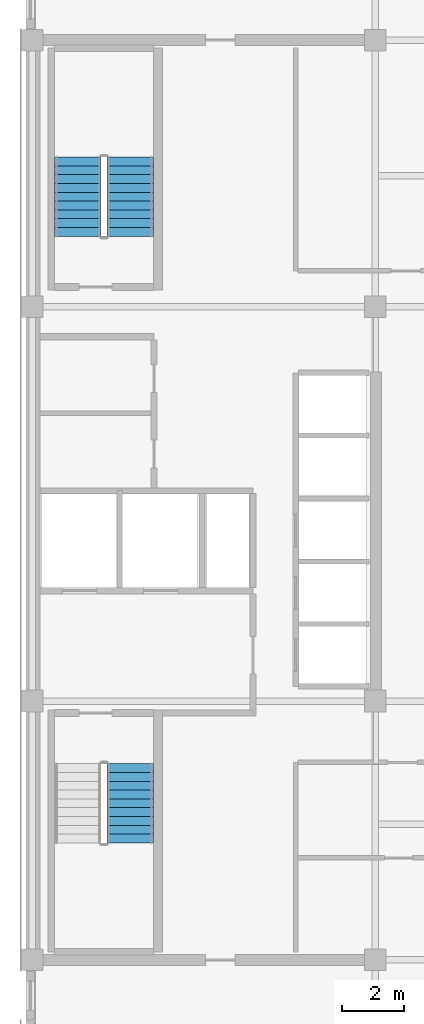
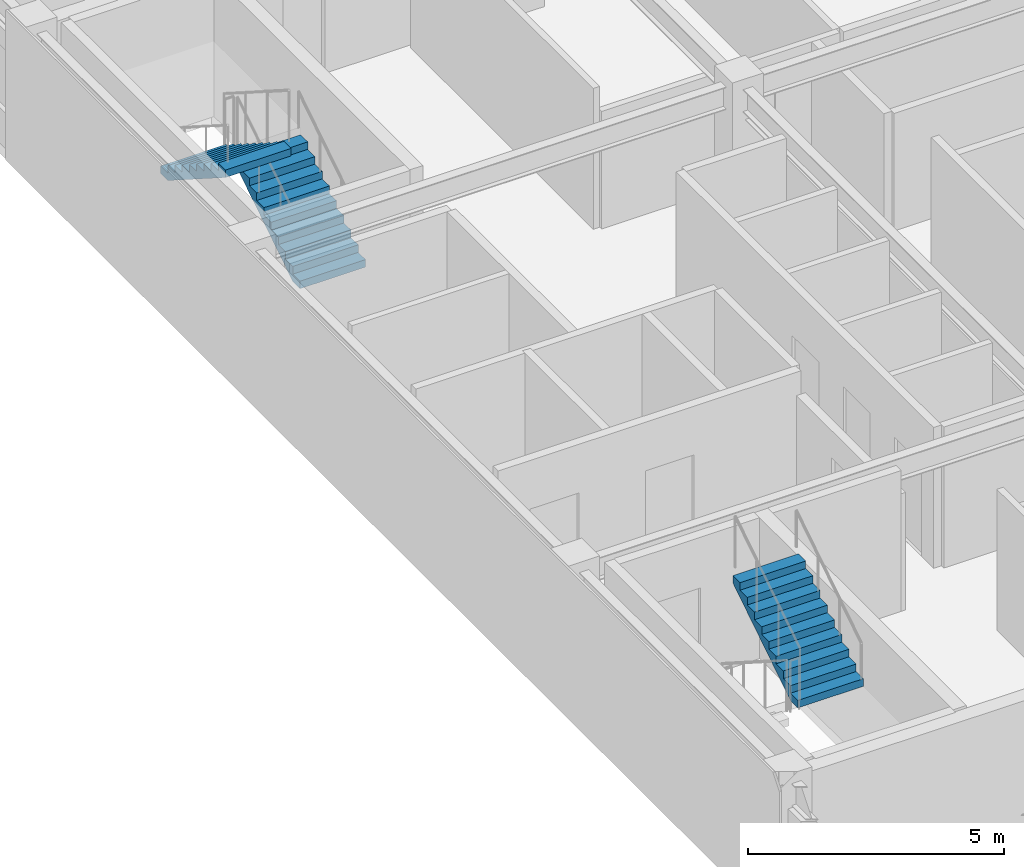
# One storey, part 6 of 7: 3 stair flights, 2 elements without a shape of their own.
"""IFC4 building model written with IfcOpenShell, lengths in metres."""

from ifc_helpers import new_model, si_unit, direction, frame, origin, place, context, subcontext, project, spatial, polyline, outline, extrude, material, type_object, element, aggregate, save


model = new_model("IFC4")

# Units and contexts
model_context = context("Model", 3, precision=1e-05, world=origin(), true_north=direction((0.0, 1.0)))
body_context = subcontext(model_context, "Body", "Model", "MODEL_VIEW")
ifc_project = project(units=[si_unit("LENGTHUNIT", "METRE"), si_unit("AREAUNIT", "SQUARE_METRE"), si_unit("VOLUMEUNIT", "CUBIC_METRE"), si_unit("PLANEANGLEUNIT", "RADIAN"), si_unit("MASSUNIT", "GRAM", prefix="KILO")], contexts=[model_context])

# Site, building, storey
site_placement = place(None, origin())
site = spatial("IfcSite", under=ifc_project, at=site_placement, CompositionType="ELEMENT")
building_placement = place(site_placement, origin())
building = spatial("IfcBuilding", under=site, at=building_placement, Name="Ochreholt Gables", CompositionType="ELEMENT")
storey_placement = place(building_placement, frame((0.0, 0.0, 242.39990234375)))
storey = spatial("IfcBuildingStorey", under=building, at=storey_placement, Name="L63", CompositionType="ELEMENT", Elevation=242.39990234375)

# Stair, stair flight
ifc_material = material(Name="Concrete 40 MPa", Category="concrete")
stair_type_1 = type_object("IfcStairType", Name="STAIR-CORE-ST-1", PredefinedType="HALF_TURN_STAIR", material=ifc_material)
stair_1_placement = place(storey_placement, origin())
stair_1 = element("IfcStair", 1, at=stair_1_placement, inside=storey, type_object=stair_type_1, Name="L63 Core Exit Stair 1", PredefinedType="HALF_TURN_STAIR")
stair_flight_type = type_object("IfcStairFlightType", Name="FLIGHT-ST-1480-1800", PredefinedType="STRAIGHT", material=ifc_material)
stair_flight_1_placement = place(storey_placement, frame((27.340087890625, 13.001953125, 1.800048828125), z_axis=(0.0, 0.0, 1.0), x_axis=(0.0, 1.0, 0.0)))
stair_flight_1 = element("IfcStairFlight", 2, at=stair_flight_1_placement, type_object=stair_flight_type, Name="ST-1 flight 2", NumberOfRisers=10, NumberOfTreads=9, PredefinedType="STRAIGHT", RiserHeight=0.18, TreadLength=0.282, context=body_context, shape_type="SweptSolid", body=[
    extrude(outline(polyline([(0.0, 0.0), (0.0, 0.179931640625), (0.281982421875, 0.179931640625), (0.281982421875, 0.360107421875), (0.56396484375, 0.360107421875), (0.56396484375, 0.5400390625), (0.845947265625, 0.5400390625), (0.845947265625, 0.719970703125), (1.1279296875, 0.719970703125), (1.1279296875, 0.89990234375), (1.409912109375, 0.89990234375), (1.409912109375, 1.080078125), (1.69189453125, 1.080078125), (1.69189453125, 1.260009765625), (1.97412109375, 1.260009765625), (1.97412109375, 1.43994140625), (2.256103515625, 1.43994140625), (2.256103515625, 1.6201171875), (2.5380859375, 1.6201171875), (2.5380859375, 1.800048828125), (2.5380859375, 1.442138671875), (0.278564453125, 0.0), (0.0, 0.0)])), frame((0.0, 0.739990234375, 0.0), z_axis=(0.0, -1.0, 0.0), x_axis=(1.0, 0.0, 0.0)), (0.0, 0.0, 1.0), 1.47998046875),
])
aggregate(stair_1, [stair_flight_1])

# Stair, stair flights
stair_type_2 = type_object("IfcStairType", Name="STAIR-CORE-ST-2", PredefinedType="HALF_TURN_STAIR", material=ifc_material)
stair_2_placement = place(storey_placement, origin())
stair_2 = element("IfcStair", 3, at=stair_2_placement, inside=storey, type_object=stair_type_2, Name="L63 Core Exit Stair 2", PredefinedType="HALF_TURN_STAIR")
stair_flight_2_placement = place(storey_placement, frame((27.340087890625, 32.4599609375, 0.0), z_axis=(0.0, 0.0, 1.0), x_axis=(0.0, 1.0, 0.0)))
stair_flight_2 = element("IfcStairFlight", 4, at=stair_flight_2_placement, type_object=stair_flight_type, Name="ST-2 flight 1", NumberOfRisers=10, NumberOfTreads=9, PredefinedType="STRAIGHT", RiserHeight=0.18, TreadLength=0.282, context=body_context, shape_type="SweptSolid", body=[
    extrude(outline(polyline([(0.0, 0.0), (0.0, 0.179931640625), (0.281982421875, 0.179931640625), (0.281982421875, 0.360107421875), (0.56396484375, 0.360107421875), (0.56396484375, 0.5400390625), (0.845947265625, 0.5400390625), (0.845947265625, 0.719970703125), (1.1279296875, 0.719970703125), (1.1279296875, 0.89990234375), (1.409912109375, 0.89990234375), (1.409912109375, 1.080078125), (1.69189453125, 1.080078125), (1.69189453125, 1.260009765625), (1.97412109375, 1.260009765625), (1.97412109375, 1.43994140625), (2.256103515625, 1.43994140625), (2.256103515625, 1.6201171875), (2.5380859375, 1.6201171875), (2.5380859375, 1.800048828125), (2.5380859375, 1.442138671875), (0.278564453125, 0.0), (0.0, 0.0)])), frame((0.0, 0.739990234375, 0.0), z_axis=(0.0, -1.0, 0.0), x_axis=(1.0, 0.0, 0.0)), (0.0, 0.0, 1.0), 1.47998046875),
])
stair_flight_3_placement = place(storey_placement, frame((25.659912109375, 34.998046875, 1.800048828125), z_axis=(0.0, 0.0, 1.0), x_axis=(0.0, -1.0, 0.0)))
stair_flight_3 = element("IfcStairFlight", 5, at=stair_flight_3_placement, type_object=stair_flight_type, Name="ST-2 flight 2", NumberOfRisers=10, NumberOfTreads=9, PredefinedType="STRAIGHT", RiserHeight=0.18, TreadLength=0.282, context=body_context, shape_type="SweptSolid", body=[
    extrude(outline(polyline([(0.0, 0.0), (0.0, 0.179931640625), (0.281982421875, 0.179931640625), (0.281982421875, 0.360107421875), (0.56396484375, 0.360107421875), (0.56396484375, 0.5400390625), (0.845947265625, 0.5400390625), (0.845947265625, 0.719970703125), (1.1279296875, 0.719970703125), (1.1279296875, 0.89990234375), (1.409912109375, 0.89990234375), (1.409912109375, 1.080078125), (1.69189453125, 1.080078125), (1.69189453125, 1.260009765625), (1.97412109375, 1.260009765625), (1.97412109375, 1.43994140625), (2.256103515625, 1.43994140625), (2.256103515625, 1.6201171875), (2.5380859375, 1.6201171875), (2.5380859375, 1.800048828125), (2.5380859375, 1.442138671875), (0.278564453125, 0.0), (0.0, 0.0)])), frame((0.0, 0.739990234375, 0.0), z_axis=(0.0, -1.0, 0.0), x_axis=(1.0, 0.0, 0.0)), (0.0, 0.0, 1.0), 1.47998046875),
])
aggregate(stair_2, [stair_flight_2, stair_flight_3])

save(model, "model.ifc")
